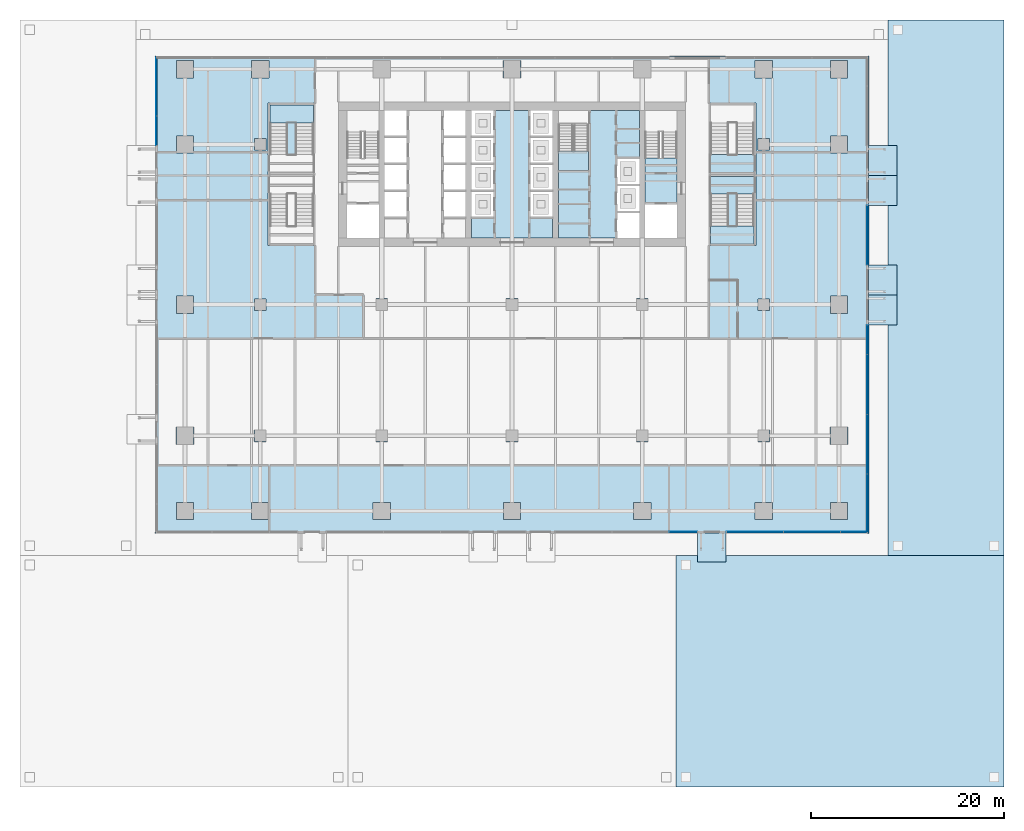
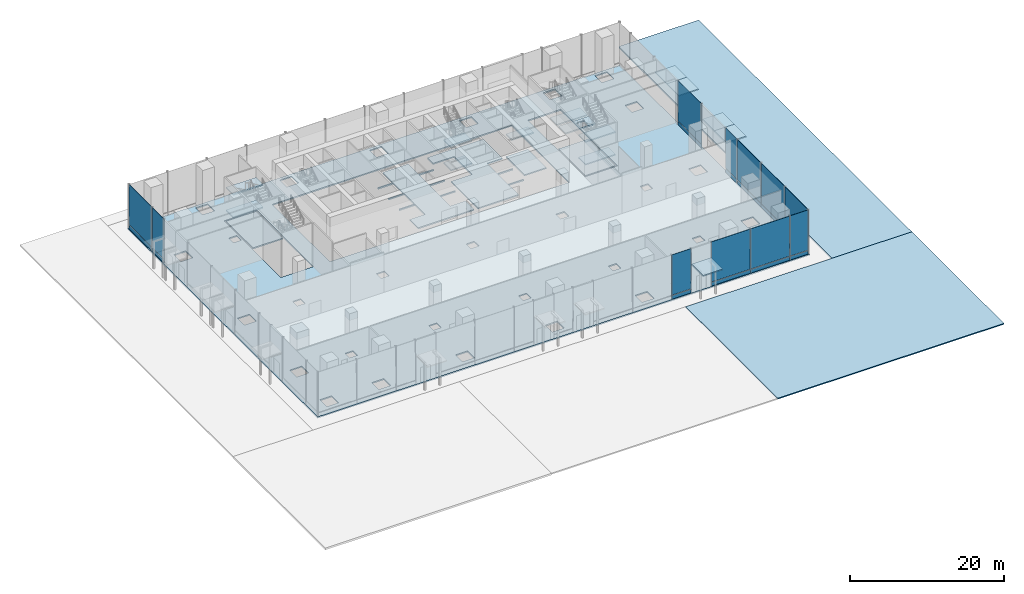
# One storey, part 27 of 41: 22 plates, 22 slabs, 10 elements without a shape of their own.
"""IFC4 building model written with IfcOpenShell, lengths in metres."""

from ifc_helpers import new_model, si_unit, direction, frame, origin, origin_2d, place, context, subcontext, project, spatial, polyline, rectangle, outline, extrude, material, layer, layer_set, type_object, element, aggregate, save


model = new_model("IFC4")

# Units and contexts
model_context = context("Model", 3, precision=1e-05, world=origin(), true_north=direction((0.0, 1.0)))
body_context = subcontext(model_context, "Body", "Model", "MODEL_VIEW")
ifc_project = project(units=[si_unit("LENGTHUNIT", "METRE"), si_unit("AREAUNIT", "SQUARE_METRE"), si_unit("VOLUMEUNIT", "CUBIC_METRE"), si_unit("PLANEANGLEUNIT", "RADIAN"), si_unit("MASSUNIT", "GRAM", prefix="KILO")], contexts=[model_context])

# Site, building, storey
site_placement = place(None, origin())
site = spatial("IfcSite", under=ifc_project, at=site_placement, CompositionType="ELEMENT")
building_placement = place(site_placement, origin())
building = spatial("IfcBuilding", under=site, at=building_placement, Name="Rattan Terrace Tower", CompositionType="ELEMENT")
storey_placement = place(building_placement, origin())
storey = spatial("IfcBuildingStorey", under=building, at=storey_placement, Name="L00", CompositionType="ELEMENT", Elevation=0.0)

# Stair, slab
ifc_material_1 = material(Name="Concrete C40/50", Category="concrete")
stair_type_1 = type_object("IfcStairType", Name="Core exit stair 1500", PredefinedType="HALF_TURN_STAIR", material=ifc_material_1)
stair_1_placement = place(storey_placement, origin())
stair_1 = element("IfcStair", 1, at=stair_1_placement, inside=storey, type_object=stair_type_1, Name="L00 exit stair 2", PredefinedType="HALF_TURN_STAIR")
ifc_material_2 = material(Name="Concrete C40/50", Category="concrete")
ifc_layer_1 = layer(ifc_material_2, 0.199951171875)
ifc_layer_set_1 = layer_set([ifc_layer_1], Name="Core exit stair landing")
slab_type_1 = type_object("IfcSlabType", Name="Core exit stair landing", PredefinedType="LANDING", material=ifc_layer_set_1)
slab_1_placement = place(storey_placement, frame((0.0, 0.0, 3.39990234375)))
slab_1 = element("IfcSlab", 2, at=slab_1_placement, type_object=slab_type_1, Name="S2 landing 2", PredefinedType="LANDING", context=body_context, shape_type="SweptSolid", body=[
    extrude(outline(polyline([(17.10009765625, 0.199951171875), (17.10009765625, 1.699951171875), (13.800048828125, 1.699951171875), (13.800048828125, 0.199951171875), (17.10009765625, 0.199951171875)])), origin(), (0.0, 0.0, 1.0), 0.2001953125),
])
aggregate(stair_1, [slab_1])

# Stair, slabs
stair_2_placement = place(storey_placement, origin())
stair_2 = element("IfcStair", 3, at=stair_2_placement, inside=storey, type_object=stair_type_1, Name="L00 exit stair 3", PredefinedType="HALF_TURN_STAIR")
slab_2_placement = place(storey_placement, frame((0.0, 0.0, 1.60009765625)))
slab_2 = element("IfcSlab", 4, at=slab_2_placement, type_object=slab_type_1, Name="S3 landing 1", PredefinedType="LANDING", context=body_context, shape_type="SweptSolid", body=[
    extrude(outline(polyline([(4.800048828125, 2.39990234375), (4.800048828125, 0.39990234375), (7.949951171875, 0.39990234375), (7.949951171875, 2.39990234375), (4.800048828125, 2.39990234375)])), origin(), (0.0, 0.0, 1.0), 0.199951171875),
])
slab_3_placement = place(storey_placement, frame((0.0, 0.0, 5.199951171875)))
slab_3 = element("IfcSlab", 5, at=slab_3_placement, type_object=slab_type_1, Name="S3 landing 3", PredefinedType="LANDING", context=body_context, shape_type="SweptSolid", body=[
    extrude(outline(polyline([(4.800048828125, 2.39990234375), (4.800048828125, 0.39990234375), (7.949951171875, 0.39990234375), (7.949951171875, 2.39990234375), (4.800048828125, 2.39990234375)])), origin(), (0.0, 0.0, 1.0), 0.199951171875),
])
aggregate(stair_2, [slab_2, slab_3])

ifc_material_3 = material(Name="Concrete C40/50", Category="concrete")
stair_type_2 = type_object("IfcStairType", Name="Core exit stair 1850", PredefinedType="HALF_TURN_STAIR", material=ifc_material_3)
stair_3_placement = place(storey_placement, origin())
stair_3 = element("IfcStair", 6, at=stair_3_placement, inside=storey, type_object=stair_type_2, Name="L00 exit stair 5", PredefinedType="HALF_TURN_STAIR")
slab_4_placement = place(storey_placement, frame((0.0, 0.0, 1.60009765625)))
slab_4 = element("IfcSlab", 7, at=slab_4_placement, type_object=slab_type_1, Name="S5 landing 1", PredefinedType="LANDING", context=body_context, shape_type="SweptSolid", body=[
    extrude(outline(polyline([(-20.60009765625, 5.343994140625), (-20.60009765625, 7.199951171875), (-25.10009765625, 7.199951171875), (-25.10009765625, 5.343994140625), (-20.60009765625, 5.343994140625)])), origin(), (0.0, 0.0, 1.0), 0.199951171875),
])
slab_5_placement = place(storey_placement, frame((0.0, 0.0, 5.199951171875)))
slab_5 = element("IfcSlab", 8, at=slab_5_placement, type_object=slab_type_1, Name="S5 landing 3", PredefinedType="LANDING", context=body_context, shape_type="SweptSolid", body=[
    extrude(outline(polyline([(-20.60009765625, 5.343994140625), (-20.60009765625, 7.199951171875), (-25.10009765625, 7.199951171875), (-25.10009765625, 5.343994140625), (-20.60009765625, 5.343994140625)])), origin(), (0.0, 0.0, 1.0), 0.199951171875),
])
aggregate(stair_3, [slab_4, slab_5])

stair_4_placement = place(storey_placement, origin())
stair_4 = element("IfcStair", 9, at=stair_4_placement, inside=storey, type_object=stair_type_2, Name="L00 exit stair 6", PredefinedType="HALF_TURN_STAIR")
slab_6_placement = place(storey_placement, frame((0.0, 0.0, 1.60009765625)))
slab_6 = element("IfcSlab", 10, at=slab_6_placement, type_object=slab_type_1, Name="S6 landing 1", PredefinedType="LANDING", context=body_context, shape_type="SweptSolid", body=[
    extrude(outline(polyline([(20.60009765625, -5.343994140625), (20.60009765625, -7.199951171875), (25.10009765625, -7.199951171875), (25.10009765625, -5.343994140625), (20.60009765625, -5.343994140625)])), origin(), (0.0, 0.0, 1.0), 0.199951171875),
])
slab_7_placement = place(storey_placement, frame((0.0, 0.0, 3.39990234375)))
slab_7 = element("IfcSlab", 11, at=slab_7_placement, type_object=slab_type_1, Name="S6 landing 2", PredefinedType="LANDING", context=body_context, shape_type="SweptSolid", body=[
    extrude(outline(polyline([(20.60009765625, -0.199951171875), (20.60009765625, -2.050048828125), (25.10009765625, -2.050048828125), (25.10009765625, -0.199951171875), (20.60009765625, -0.199951171875)])), origin(), (0.0, 0.0, 1.0), 0.2001953125),
])
slab_8_placement = place(storey_placement, frame((0.0, 0.0, 5.199951171875)))
slab_8 = element("IfcSlab", 12, at=slab_8_placement, type_object=slab_type_1, Name="S6 landing 3", PredefinedType="LANDING", context=body_context, shape_type="SweptSolid", body=[
    extrude(outline(polyline([(20.60009765625, -5.343994140625), (20.60009765625, -7.199951171875), (25.10009765625, -7.199951171875), (25.10009765625, -5.343994140625), (20.60009765625, -5.343994140625)])), origin(), (0.0, 0.0, 1.0), 0.199951171875),
])
aggregate(stair_4, [slab_6, slab_7, slab_8])

# Stair, slab
stair_5_placement = place(storey_placement, origin())
stair_5 = element("IfcStair", 13, at=stair_5_placement, inside=storey, type_object=stair_type_2, Name="L00 exit stair 7", PredefinedType="HALF_TURN_STAIR")
slab_9_placement = place(storey_placement, frame((0.0, 0.0, 3.39990234375)))
slab_9 = element("IfcSlab", 14, at=slab_9_placement, type_object=slab_type_1, Name="S7 landing 2", PredefinedType="LANDING", context=body_context, shape_type="SweptSolid", body=[
    extrude(outline(polyline([(25.10009765625, 0.199951171875), (25.10009765625, 2.050048828125), (20.60009765625, 2.050048828125), (20.60009765625, 0.199951171875), (25.10009765625, 0.199951171875)])), origin(), (0.0, 0.0, 1.0), 0.2001953125),
])
aggregate(stair_5, [slab_9])

# Slabs
ifc_material_4 = material(Name="Resin-bound gravel on concrete C25/30 bed", Category="concrete")
ifc_layer_2 = layer(ifc_material_4, 0.159912109375)
ifc_layer_set_2 = layer_set([ifc_layer_2], Name="Cycle and Pedestrian Paving")
slab_type_2 = type_object("IfcSlabType", Name="Cycle and Pedestrian Paving", PredefinedType="USERDEFINED", material=ifc_layer_set_2)
slab_10_placement = place(storey_placement, frame((0.0, 0.0, -0.159912109375)))
element("IfcSlab", 15, at=slab_10_placement, inside=storey, type_object=slab_type_2, Name="Cycle and pedestrian paving", ObjectType="PAVING", PredefinedType="USERDEFINED", context=body_context, shape_type="SweptSolid", body=[
    extrude(outline(polyline([(51.0, -63.5), (51.0, -39.5), (17.0, -39.5), (17.0, -63.5), (51.0, -63.5)])), origin(), (0.0, 0.0, 1.0), 0.159912109375),
])
ifc_material_5 = material(Name="Steel S355 and glass canopy", Category="steel")
ifc_layer_3 = layer(ifc_material_5, 0.199951171875)
ifc_layer_set_3 = layer_set([ifc_layer_3], Name="Facade Entrance Canopy")
slab_type_3 = type_object("IfcSlabType", Name="Facade Entrance Canopy", PredefinedType="ROOF", material=ifc_layer_set_3)
slab_11_placement = place(storey_placement, frame((0.0, 0.0, 4.39990234375)))
element("IfcSlab", 16, at=slab_11_placement, inside=storey, type_object=slab_type_3, Name="Entrance canopy 001", PredefinedType="ROOF", context=body_context, shape_type="SweptSolid", body=[
    extrude(outline(polyline([(36.929931640625, -15.592041015625), (36.929931640625, -12.498046875), (39.929931640625, -12.498046875), (39.929931640625, -15.592041015625), (36.929931640625, -15.592041015625)])), origin(), (0.0, 0.0, 1.0), 0.2001953125),
])
slab_12_placement = place(storey_placement, frame((0.0, 0.0, 4.39990234375)))
element("IfcSlab", 17, at=slab_12_placement, inside=storey, type_object=slab_type_3, Name="Entrance canopy 006", PredefinedType="ROOF", context=body_context, shape_type="SweptSolid", body=[
    extrude(outline(polyline([(36.929931640625, -12.498046875), (36.929931640625, -9.404052734375), (39.929931640625, -9.404052734375), (39.929931640625, -12.498046875), (36.929931640625, -12.498046875)])), origin(), (0.0, 0.0, 1.0), 0.2001953125),
])
ifc_material_6 = material(Name="Steel S355 and glass canopy", Category="steel")
ifc_layer_4 = layer(ifc_material_6, 0.179931640625)
ifc_layer_set_4 = layer_set([ifc_layer_4], Name="Facade Exit Canopy")
slab_type_4 = type_object("IfcSlabType", Name="Facade Exit Canopy", PredefinedType="ROOF", material=ifc_layer_set_4)
slab_13_placement = place(storey_placement, frame((0.0, 0.0, 4.39990234375)))
element("IfcSlab", 18, at=slab_13_placement, inside=storey, type_object=slab_type_4, Name="Entrance canopy 011", PredefinedType="ROOF", context=body_context, shape_type="SweptSolid", body=[
    extrude(outline(polyline([(36.929931640625, -3.216064453125), (36.929931640625, -0.1220703125), (39.929931640625, -0.1220703125), (39.929931640625, -3.216064453125), (36.929931640625, -3.216064453125)])), origin(), (0.0, 0.0, 1.0), 0.18017578125),
])
slab_14_placement = place(storey_placement, frame((0.0, 0.0, 4.39990234375)))
element("IfcSlab", 19, at=slab_14_placement, inside=storey, type_object=slab_type_4, Name="Entrance canopy 016", PredefinedType="ROOF", context=body_context, shape_type="SweptSolid", body=[
    extrude(outline(polyline([(36.929931640625, -0.1220703125), (36.929931640625, 2.971923828125), (39.929931640625, 2.971923828125), (39.929931640625, -0.1220703125), (36.929931640625, -0.1220703125)])), origin(), (0.0, 0.0, 1.0), 0.18017578125),
])
slab_15_placement = place(storey_placement, frame((0.0, 0.0, 4.39990234375)))
element("IfcSlab", 20, at=slab_15_placement, inside=storey, type_object=slab_type_4, Name="Entrance canopy 061", PredefinedType="ROOF", context=body_context, shape_type="SweptSolid", body=[
    extrude(outline(polyline([(19.239990234375, -37.179931640625), (22.199951171875, -37.179931640625), (22.199951171875, -40.179931640625), (19.239990234375, -40.179931640625), (19.239990234375, -37.179931640625)])), origin(), (0.0, 0.0, 1.0), 0.18017578125),
])
ifc_material_7 = material(Name="Concrete C35/45", Category="concrete")
ifc_layer_5 = layer(ifc_material_7, 0.199951171875)
ifc_layer_set_5 = layer_set([ifc_layer_5], Name="Frame composite floor slab 200")
slab_type_5 = type_object("IfcSlabType", Name="Frame composite floor slab 200", PredefinedType="FLOOR", material=ifc_layer_set_5)
slab_16_placement = place(storey_placement, frame((0.0, 0.0, -0.199951171875)))
element("IfcSlab", 21, at=slab_16_placement, inside=storey, type_object=slab_type_5, Name="Floor slab", PredefinedType="FLOOR", context=body_context, shape_type="SweptSolid", body=[
    extrude(outline(polyline([(-37.0, -37.25), (37.0, -37.25), (37.0, 12.25), (-37.0, 12.25), (-37.0, -37.25)]), holes=[polyline([(-14.39990234375, -34.0), (-14.39990234375, -35.800048828125), (-12.60009765625, -35.800048828125), (-12.60009765625, -34.0), (-14.39990234375, -34.0)]), polyline([(-34.800048828125, -34.0), (-34.800048828125, -35.800048828125), (-33.0, -35.800048828125), (-33.0, -34.0), (-34.800048828125, -34.0)]), polyline([(-27.0, -34.0), (-27.0, -35.800048828125), (-25.199951171875, -35.800048828125), (-25.199951171875, -34.0), (-27.0, -34.0)]), polyline([(-34.800048828125, -26.199951171875), (-34.800048828125, -28.0), (-33.0, -28.0), (-33.0, -26.199951171875), (-34.800048828125, -26.199951171875)]), polyline([(-12.89990234375, -26.5), (-14.10009765625, -26.5), (-14.10009765625, -27.699951171875), (-12.89990234375, -27.699951171875), (-12.89990234375, -26.5)]), polyline([(-26.699951171875, -26.5), (-26.699951171875, -27.699951171875), (-25.5, -27.699951171875), (-25.5, -26.5), (-26.699951171875, -26.5)]), polyline([(-26.699951171875, -12.89990234375), (-26.699951171875, -14.10009765625), (-25.5, -14.10009765625), (-25.5, -12.89990234375), (-26.699951171875, -12.89990234375)]), polyline([(-14.10009765625, -12.89990234375), (-14.10009765625, -14.10009765625), (-12.89990234375, -14.10009765625), (-12.89990234375, -12.89990234375), (-14.10009765625, -12.89990234375)]), polyline([(-34.800048828125, -12.60009765625), (-34.800048828125, -14.39990234375), (-33.0, -14.39990234375), (-33.0, -12.60009765625), (-34.800048828125, -12.60009765625)]), polyline([(-25.10009765625, -7.39990234375), (-20.60009765625, -7.39990234375), (-20.60009765625, -7.39990234375), (-20.39990234375, -7.39990234375), (-20.39990234375, 0.0), (-20.39990234375, 7.39990234375), (-20.60009765625, 7.39990234375), (-20.60009765625, 7.39990234375), (-25.10009765625, 7.39990234375), (-25.10009765625, 7.39990234375), (-25.300048828125, 7.39990234375), (-25.300048828125, 0.0), (-25.300048828125, -7.39990234375), (-25.10009765625, -7.39990234375), (-25.10009765625, -7.39990234375)]), polyline([(18.0, -6.60009765625), (18.0, 6.60009765625), (18.0, 7.5), (-18.0, 7.5), (-18.0, 6.60009765625), (-18.0, -6.60009765625), (-18.0, -7.5), (18.0, -7.5), (18.0, -6.60009765625)]), polyline([(-25.5, 3.699951171875), (-26.699951171875, 3.699951171875), (-26.699951171875, 2.5), (-25.5, 2.5), (-25.5, 3.699951171875)]), polyline([(-34.800048828125, 4.0), (-34.800048828125, 2.199951171875), (-33.0, 2.199951171875), (-33.0, 4.0), (-34.800048828125, 4.0)]), polyline([(-25.199951171875, 11.800048828125), (-27.0, 11.800048828125), (-27.0, 10.0), (-25.199951171875, 10.0), (-25.199951171875, 11.800048828125)]), polyline([(-14.39990234375, 11.800048828125), (-14.39990234375, 10.0), (-12.60009765625, 10.0), (-12.60009765625, 11.800048828125), (-14.39990234375, 11.800048828125)]), polyline([(-34.800048828125, 11.800048828125), (-34.800048828125, 10.0), (-33.0, 10.0), (-33.0, 11.800048828125), (-34.800048828125, 11.800048828125)]), polyline([(-0.89990234375, -34.0), (-0.89990234375, -35.800048828125), (0.89990234375, -35.800048828125), (0.89990234375, -34.0), (-0.89990234375, -34.0)]), polyline([(0.60009765625, -26.5), (-0.60009765625, -26.5), (-0.60009765625, -27.699951171875), (0.60009765625, -27.699951171875), (0.60009765625, -26.5)]), polyline([(0.60009765625, -12.89990234375), (-0.60009765625, -12.89990234375), (-0.60009765625, -14.10009765625), (0.60009765625, -14.10009765625), (0.60009765625, -12.89990234375)]), polyline([(0.89990234375, 11.800048828125), (-0.89990234375, 11.800048828125), (-0.89990234375, 10.0), (0.89990234375, 10.0), (0.89990234375, 11.800048828125)]), polyline([(14.39990234375, -34.0), (12.60009765625, -34.0), (12.60009765625, -35.800048828125), (14.39990234375, -35.800048828125), (14.39990234375, -34.0)]), polyline([(33.0, -34.0), (33.0, -35.800048828125), (34.800048828125, -35.800048828125), (34.800048828125, -34.0), (33.0, -34.0)]), polyline([(25.199951171875, -34.0), (25.199951171875, -35.800048828125), (27.0, -35.800048828125), (27.0, -34.0), (25.199951171875, -34.0)]), polyline([(33.0, -28.0), (34.800048828125, -28.0), (34.800048828125, -26.199951171875), (33.0, -26.199951171875), (33.0, -28.0)]), polyline([(14.10009765625, -26.5), (12.89990234375, -26.5), (12.89990234375, -27.699951171875), (14.10009765625, -27.699951171875), (14.10009765625, -26.5)]), polyline([(26.699951171875, -26.5), (25.5, -26.5), (25.5, -27.699951171875), (26.699951171875, -27.699951171875), (26.699951171875, -26.5)]), polyline([(12.89990234375, -12.89990234375), (12.89990234375, -14.10009765625), (14.10009765625, -14.10009765625), (14.10009765625, -12.89990234375), (12.89990234375, -12.89990234375)]), polyline([(33.0, -14.39990234375), (34.800048828125, -14.39990234375), (34.800048828125, -12.60009765625), (33.0, -12.60009765625), (33.0, -14.39990234375)]), polyline([(25.5, -12.89990234375), (25.5, -14.10009765625), (26.699951171875, -14.10009765625), (26.699951171875, -12.89990234375), (25.5, -12.89990234375)]), polyline([(20.60009765625, -7.39990234375), (20.60009765625, -7.39990234375), (25.10009765625, -7.39990234375), (25.10009765625, -7.39990234375), (25.300048828125, -7.39990234375), (25.300048828125, 0.0), (25.300048828125, 7.39990234375), (25.10009765625, 7.39990234375), (25.10009765625, 7.39990234375), (20.60009765625, 7.39990234375), (20.60009765625, 7.39990234375), (20.39990234375, 7.39990234375), (20.39990234375, 0.0), (20.39990234375, -7.39990234375), (20.60009765625, -7.39990234375)]), polyline([(25.5, 3.699951171875), (25.5, 2.5), (26.699951171875, 2.5), (26.699951171875, 3.699951171875), (25.5, 3.699951171875)]), polyline([(33.0, 2.199951171875), (34.800048828125, 2.199951171875), (34.800048828125, 4.0), (33.0, 4.0), (33.0, 2.199951171875)]), polyline([(33.0, 11.800048828125), (33.0, 10.0), (34.800048828125, 10.0), (34.800048828125, 11.800048828125), (33.0, 11.800048828125)]), polyline([(27.0, 11.800048828125), (25.199951171875, 11.800048828125), (25.199951171875, 10.0), (27.0, 10.0), (27.0, 11.800048828125)]), polyline([(14.39990234375, 11.800048828125), (12.60009765625, 11.800048828125), (12.60009765625, 10.0), (14.39990234375, 10.0), (14.39990234375, 11.800048828125)])]), origin(), (0.0, 0.0, 1.0), 0.199951171875),
])
slab_17_placement = place(storey_placement, frame((0.0, 0.0, -0.199951171875)))
element("IfcSlab", 22, at=slab_17_placement, inside=storey, type_object=slab_type_5, Name="Floor slab", PredefinedType="FLOOR", context=body_context, shape_type="SweptSolid", body=[
    extrude(outline(polyline([(-20.60009765625, 0.199951171875), (-20.60009765625, 7.199951171875), (-25.10009765625, 7.199951171875), (-25.10009765625, 0.199951171875), (-20.60009765625, 0.199951171875)])), origin(), (0.0, 0.0, 1.0), 0.199951171875),
])
slab_18_placement = place(storey_placement, frame((0.0, 0.0, -0.199951171875)))
element("IfcSlab", 23, at=slab_18_placement, inside=storey, type_object=slab_type_5, Name="Floor slab", PredefinedType="FLOOR", context=body_context, shape_type="SweptSolid", body=[
    extrude(outline(polyline([(-4.199951171875, -6.60009765625), (4.199951171875, -6.60009765625), (4.199951171875, -4.39990234375), (1.89990234375, -4.39990234375), (1.89990234375, -1.800048828125), (4.199951171875, -1.800048828125), (4.199951171875, -1.60009765625), (1.89990234375, -1.60009765625), (1.89990234375, 1.0), (4.199951171875, 1.0), (4.199951171875, 1.199951171875), (1.89990234375, 1.199951171875), (1.89990234375, 3.800048828125), (4.199951171875, 3.800048828125), (4.199951171875, 4.0), (1.89990234375, 4.0), (1.89990234375, 6.60009765625), (-1.89990234375, 6.60009765625), (-1.89990234375, 4.0), (-4.199951171875, 4.0), (-4.199951171875, 3.800048828125), (-1.89990234375, 3.800048828125), (-1.89990234375, 1.199951171875), (-4.199951171875, 1.199951171875), (-4.199951171875, 1.0), (-1.89990234375, 1.0), (-1.89990234375, -1.60009765625), (-4.199951171875, -1.60009765625), (-4.199951171875, -1.800048828125), (-1.89990234375, -1.800048828125), (-1.89990234375, -4.39990234375), (-4.199951171875, -4.39990234375), (-4.199951171875, -6.60009765625)])), origin(), (0.0, 0.0, 1.0), 0.199951171875),
])
slab_19_placement = place(storey_placement, frame((0.0, 0.0, -0.199951171875)))
element("IfcSlab", 24, at=slab_19_placement, inside=storey, type_object=slab_type_5, Name="Floor slab", PredefinedType="FLOOR", context=body_context, shape_type="SweptSolid", body=[
    extrude(outline(polyline([(4.800048828125, -6.60009765625), (10.89990234375, -6.60009765625), (10.89990234375, -4.0), (13.199951171875, -4.0), (13.199951171875, -3.800048828125), (10.89990234375, -3.800048828125), (10.89990234375, -1.199951171875), (13.199951171875, -1.199951171875), (13.199951171875, -1.0), (10.89990234375, -1.0), (10.89990234375, 1.60009765625), (13.199951171875, 1.60009765625), (13.199951171875, 6.60009765625), (4.800048828125, 6.60009765625), (4.800048828125, 5.090087890625), (7.949951171875, 5.090087890625), (7.949951171875, 0.39990234375), (4.800048828125, 0.39990234375), (4.800048828125, -6.60009765625)])), origin(), (0.0, 0.0, 1.0), 0.199951171875),
])
slab_20_placement = place(storey_placement, frame((0.0, 0.0, -0.199951171875)))
element("IfcSlab", 25, at=slab_20_placement, inside=storey, type_object=slab_type_5, Name="Floor slab", PredefinedType="FLOOR", context=body_context, shape_type="SweptSolid", body=[
    extrude(outline(polyline([(17.10009765625, -3.10009765625), (17.10009765625, 1.7099609375), (13.800048828125, 1.7099609375), (13.800048828125, -3.10009765625), (17.10009765625, -3.10009765625)])), origin(), (0.0, 0.0, 1.0), 0.199951171875),
])
slab_21_placement = place(storey_placement, frame((0.0, 0.0, -0.199951171875)))
element("IfcSlab", 26, at=slab_21_placement, inside=storey, type_object=slab_type_5, Name="Floor slab", PredefinedType="FLOOR", context=body_context, shape_type="SweptSolid", body=[
    extrude(outline(polyline([(20.60009765625, -0.199951171875), (20.60009765625, -7.199951171875), (25.10009765625, -7.199951171875), (25.10009765625, -0.199951171875), (20.60009765625, -0.199951171875)])), origin(), (0.0, 0.0, 1.0), 0.199951171875),
])
ifc_material_8 = material(Name="Granite setts on concrete C30/37 bed", Category="masonry")
ifc_layer_6 = layer(ifc_material_8, 0.239990234375)
ifc_layer_set_6 = layer_set([ifc_layer_6], Name="Station Entrance Setts")
slab_type_6 = type_object("IfcSlabType", Name="Station Entrance Setts", PredefinedType="USERDEFINED", material=ifc_layer_set_6)
slab_22_placement = place(storey_placement, frame((0.0, 0.0, -0.239990234375)))
element("IfcSlab", 27, at=slab_22_placement, inside=storey, type_object=slab_type_6, Name="Station entrance setts, east", ObjectType="PAVING", PredefinedType="USERDEFINED", context=body_context, shape_type="SweptSolid", body=[
    extrude(outline(polyline([(51.0, -39.5), (51.0, 16.0), (39.0, 16.0), (39.0, -39.5), (51.0, -39.5)])), origin(), (0.0, 0.0, 1.0), 0.239990234375),
])

# Curtain wall, plates
ifc_material_9 = material(Name="Aluminium and glass", Category="aluminium")
ifc_layer_7 = layer(ifc_material_9, 0.1201171875)
ifc_layer_set_7 = layer_set([ifc_layer_7], Name="Station Storefront Curtain Wall")
curtain_wall_type = type_object("IfcCurtainWallType", Name="Station Storefront Curtain Wall", PredefinedType="NOTDEFINED", material=ifc_layer_set_7)
curtain_wall_1_placement = place(storey_placement, origin())
curtain_wall_1 = element("IfcCurtainWall", 28, at=curtain_wall_1_placement, inside=storey, type_object=curtain_wall_type, Name="Storefront curtain wall L00-1", PredefinedType="NOTDEFINED")
ifc_material_10 = material(Name="Granite bulkhead panel", Category="masonry")
ifc_layer_8 = layer(ifc_material_10, 0.110107421875)
ifc_layer_set_8 = layer_set([ifc_layer_8], Name="Storefront CW Stone Bulkhead Panel")
plate_type_1 = type_object("IfcPlateType", Name="Storefront CW Stone Bulkhead Panel", PredefinedType="CURTAIN_PANEL", material=ifc_layer_set_8)
plate_1_placement = place(storey_placement, frame((36.830078125, -34.08837890625, 0.0), z_axis=(0.0, 0.0, 1.0), x_axis=(0.0, 1.0, 0.0)))
plate_1 = element("IfcPlate", 29, at=plate_1_placement, type_object=plate_type_1, Name="Panel cwl-L00-001.1.1", PredefinedType="CURTAIN_PANEL", context=body_context, shape_type="SweptSolid", body=[
    extrude(rectangle(XDim=6.0029296875, YDim=0.110107421875, at=origin_2d()), origin(), (0.0, 0.0, 1.0), 0.574951171875),
])
plate_2_placement = place(storey_placement, frame((36.830078125, -27.968017578125, 0.0), z_axis=(0.0, 0.0, 1.0), x_axis=(0.0, 1.0, 0.0)))
plate_2 = element("IfcPlate", 30, at=plate_2_placement, type_object=plate_type_1, Name="Panel cwl-L00-001.2.1", PredefinedType="CURTAIN_PANEL", context=body_context, shape_type="SweptSolid", body=[
    extrude(rectangle(XDim=6.137939453125, YDim=0.110107421875, at=origin_2d()), origin(), (0.0, 0.0, 1.0), 0.574951171875),
])
plate_3_placement = place(storey_placement, frame((36.830078125, -21.780029296875, 0.0), z_axis=(0.0, 0.0, 1.0), x_axis=(0.0, 1.0, 0.0)))
plate_3 = element("IfcPlate", 31, at=plate_3_placement, type_object=plate_type_1, Name="Panel cwl-L00-001.3.1", PredefinedType="CURTAIN_PANEL", context=body_context, shape_type="SweptSolid", body=[
    extrude(rectangle(XDim=6.137939453125, YDim=0.110107421875, at=origin_2d()), origin(), (0.0, 0.0, 1.0), 0.574951171875),
])
plate_4_placement = place(storey_placement, frame((36.830078125, -17.151611328125, 0.0), z_axis=(0.0, 0.0, 1.0), x_axis=(0.0, 1.0, 0.0)))
plate_4 = element("IfcPlate", 32, at=plate_4_placement, type_object=plate_type_1, Name="Panel cwl-L00-001.4.1", PredefinedType="CURTAIN_PANEL", context=body_context, shape_type="SweptSolid", body=[
    extrude(rectangle(XDim=3.01904296875, YDim=0.110107421875, at=origin_2d()), origin(), (0.0, 0.0, 1.0), 0.574951171875),
])

# Curtain wall, plate
curtain_wall_2_placement = place(storey_placement, origin())
curtain_wall_2 = element("IfcCurtainWall", 33, at=curtain_wall_2_placement, inside=storey, type_object=curtain_wall_type, Name="Storefront curtain wall L00-2", PredefinedType="NOTDEFINED")
plate_5_placement = place(storey_placement, frame((36.830078125, -6.31005859375, 0.0), z_axis=(0.0, 0.0, 1.0), x_axis=(0.0, 1.0, 0.0)))
plate_5 = element("IfcPlate", 34, at=plate_5_placement, type_object=plate_type_1, Name="Panel cwl-L00-002.1.1", PredefinedType="CURTAIN_PANEL", context=body_context, shape_type="SweptSolid", body=[
    extrude(rectangle(XDim=6.087890625, YDim=0.110107421875, at=origin_2d()), origin(), (0.0, 0.0, 1.0), 0.574951171875),
])

# Curtain wall, plates
curtain_wall_3_placement = place(storey_placement, origin())
curtain_wall_3 = element("IfcCurtainWall", 35, at=curtain_wall_3_placement, inside=storey, type_object=curtain_wall_type, Name="Storefront curtain wall L00-6", PredefinedType="NOTDEFINED")
plate_6_placement = place(storey_placement, frame((-36.830078125, 9.08837890625, 0.0), z_axis=(0.0, 0.0, 1.0), x_axis=(0.0, -1.0, 0.0)))
plate_6 = element("IfcPlate", 36, at=plate_6_placement, type_object=plate_type_1, Name="Panel cwl-L00-006.1.1", PredefinedType="CURTAIN_PANEL", context=body_context, shape_type="SweptSolid", body=[
    extrude(rectangle(XDim=6.0029296875, YDim=0.110107421875, at=origin_2d()), origin(), (0.0, 0.0, 1.0), 0.574951171875),
])
plate_7_placement = place(storey_placement, frame((-36.830078125, 4.527587890625, 0.0), z_axis=(0.0, 0.0, 1.0), x_axis=(0.0, -1.0, 0.0)))
plate_7 = element("IfcPlate", 37, at=plate_7_placement, type_object=plate_type_1, Name="Panel cwl-L00-006.2.1", PredefinedType="CURTAIN_PANEL", context=body_context, shape_type="SweptSolid", body=[
    extrude(rectangle(XDim=3.01904296875, YDim=0.110107421875, at=origin_2d()), origin(), (0.0, 0.0, 1.0), 0.574951171875),
])

# Curtain wall, plate
curtain_wall_4_placement = place(storey_placement, origin())
curtain_wall_4 = element("IfcCurtainWall", 38, at=curtain_wall_4_placement, inside=storey, type_object=curtain_wall_type, Name="Storefront curtain wall L00-13", PredefinedType="NOTDEFINED")
plate_8_placement = place(storey_placement, frame((17.74755859375, -37.080078125, 0.0), z_axis=(0.0, 0.0, 1.0), x_axis=(1.0, 0.0, 0.0)))
plate_8 = element("IfcPlate", 39, at=plate_8_placement, type_object=plate_type_1, Name="Panel cwl-L00-013.3.1", PredefinedType="CURTAIN_PANEL", context=body_context, shape_type="SweptSolid", body=[
    extrude(rectangle(XDim=2.885009765625, YDim=0.110107421875, at=origin_2d()), origin(), (0.0, 0.0, 1.0), 0.574951171875),
])

# Curtain wall, plates
curtain_wall_5_placement = place(storey_placement, origin())
curtain_wall_5 = element("IfcCurtainWall", 40, at=curtain_wall_5_placement, inside=storey, type_object=curtain_wall_type, Name="Storefront curtain wall L00-14", PredefinedType="NOTDEFINED")
plate_9_placement = place(storey_placement, frame((25.172607421875, -37.080078125, 0.0), z_axis=(0.0, 0.0, 1.0), x_axis=(1.0, 0.0, 0.0)))
plate_9 = element("IfcPlate", 41, at=plate_9_placement, type_object=plate_type_1, Name="Panel cwl-L00-014.1.1", PredefinedType="CURTAIN_PANEL", context=body_context, shape_type="SweptSolid", body=[
    extrude(rectangle(XDim=5.844970703125, YDim=0.110107421875, at=origin_2d()), origin(), (0.0, 0.0, 1.0), 0.574951171875),
])
plate_10_placement = place(storey_placement, frame((31.080078125, -37.080078125, 0.0), z_axis=(0.0, 0.0, 1.0), x_axis=(1.0, 0.0, 0.0)))
plate_10 = element("IfcPlate", 42, at=plate_10_placement, type_object=plate_type_1, Name="Panel cwl-L00-014.2.1", PredefinedType="CURTAIN_PANEL", context=body_context, shape_type="SweptSolid", body=[
    extrude(rectangle(XDim=5.8701171875, YDim=0.110107421875, at=origin_2d()), origin(), (0.0, 0.0, 1.0), 0.574951171875),
])
plate_11_placement = place(storey_placement, frame((35.41748046875, -37.080078125, 0.0), z_axis=(0.0, 0.0, 1.0), x_axis=(1.0, 0.0, 0.0)))
plate_11 = element("IfcPlate", 43, at=plate_11_placement, type_object=plate_type_1, Name="Panel cwl-L00-014.3.1", PredefinedType="CURTAIN_PANEL", context=body_context, shape_type="SweptSolid", body=[
    extrude(rectangle(XDim=2.705078125, YDim=0.110107421875, at=origin_2d()), origin(), (0.0, 0.0, 1.0), 0.574951171875),
])

# Plate
ifc_material_11 = material(Name="Clear toughened glass", Category="glass")
ifc_layer_9 = layer(ifc_material_11, 0.0439453125)
ifc_layer_set_9 = layer_set([ifc_layer_9], Name="Storefront CW Vision Panel")
plate_type_2 = type_object("IfcPlateType", Name="Storefront CW Vision Panel", PredefinedType="CURTAIN_PANEL", material=ifc_layer_set_9)
plate_12_placement = place(storey_placement, frame((36.830078125, -34.08837890625, 0.625), z_axis=(0.0, 0.0, 1.0), x_axis=(0.0, 1.0, 0.0)))
plate_12 = element("IfcPlate", 44, at=plate_12_placement, type_object=plate_type_2, Name="Panel cwl-L00-001.1.2", PredefinedType="CURTAIN_PANEL", context=body_context, shape_type="SweptSolid", body=[
    extrude(rectangle(XDim=6.0029296875, YDim=0.0439453125, at=origin_2d()), origin(), (0.0, 0.0, 1.0), 6.375),
])

plate_13_placement = place(storey_placement, frame((36.830078125, -27.968017578125, 0.625), z_axis=(0.0, 0.0, 1.0), x_axis=(0.0, 1.0, 0.0)))
plate_13 = element("IfcPlate", 45, at=plate_13_placement, type_object=plate_type_2, Name="Panel cwl-L00-001.2.2", PredefinedType="CURTAIN_PANEL", context=body_context, shape_type="SweptSolid", body=[
    extrude(rectangle(XDim=6.137939453125, YDim=0.0439453125, at=origin_2d()), origin(), (0.0, 0.0, 1.0), 6.375),
])

plate_14_placement = place(storey_placement, frame((36.830078125, -21.780029296875, 0.625), z_axis=(0.0, 0.0, 1.0), x_axis=(0.0, 1.0, 0.0)))
plate_14 = element("IfcPlate", 46, at=plate_14_placement, type_object=plate_type_2, Name="Panel cwl-L00-001.3.2", PredefinedType="CURTAIN_PANEL", context=body_context, shape_type="SweptSolid", body=[
    extrude(rectangle(XDim=6.137939453125, YDim=0.0439453125, at=origin_2d()), origin(), (0.0, 0.0, 1.0), 6.375),
])

plate_15_placement = place(storey_placement, frame((36.830078125, -17.151611328125, 0.625), z_axis=(0.0, 0.0, 1.0), x_axis=(0.0, 1.0, 0.0)))
plate_15 = element("IfcPlate", 47, at=plate_15_placement, type_object=plate_type_2, Name="Panel cwl-L00-001.4.2", PredefinedType="CURTAIN_PANEL", context=body_context, shape_type="SweptSolid", body=[
    extrude(rectangle(XDim=3.01904296875, YDim=0.0439453125, at=origin_2d()), origin(), (0.0, 0.0, 1.0), 6.375),
])

aggregate(curtain_wall_1, [plate_1, plate_12, plate_2, plate_13, plate_3, plate_14, plate_4, plate_15])

plate_16_placement = place(storey_placement, frame((36.830078125, -6.31005859375, 0.625), z_axis=(0.0, 0.0, 1.0), x_axis=(0.0, 1.0, 0.0)))
plate_16 = element("IfcPlate", 48, at=plate_16_placement, type_object=plate_type_2, Name="Panel cwl-L00-002.1.2", PredefinedType="CURTAIN_PANEL", context=body_context, shape_type="SweptSolid", body=[
    extrude(rectangle(XDim=6.087890625, YDim=0.0439453125, at=origin_2d()), origin(), (0.0, 0.0, 1.0), 6.375),
])

aggregate(curtain_wall_2, [plate_5, plate_16])

plate_17_placement = place(storey_placement, frame((-36.830078125, 9.08837890625, 0.625), z_axis=(0.0, 0.0, 1.0), x_axis=(0.0, -1.0, 0.0)))
plate_17 = element("IfcPlate", 49, at=plate_17_placement, type_object=plate_type_2, Name="Panel cwl-L00-006.1.2", PredefinedType="CURTAIN_PANEL", context=body_context, shape_type="SweptSolid", body=[
    extrude(rectangle(XDim=6.0029296875, YDim=0.0439453125, at=origin_2d()), origin(), (0.0, 0.0, 1.0), 6.375),
])

plate_18_placement = place(storey_placement, frame((-36.830078125, 4.527587890625, 0.625), z_axis=(0.0, 0.0, 1.0), x_axis=(0.0, -1.0, 0.0)))
plate_18 = element("IfcPlate", 50, at=plate_18_placement, type_object=plate_type_2, Name="Panel cwl-L00-006.2.2", PredefinedType="CURTAIN_PANEL", context=body_context, shape_type="SweptSolid", body=[
    extrude(rectangle(XDim=3.01904296875, YDim=0.0439453125, at=origin_2d()), origin(), (0.0, 0.0, 1.0), 6.375),
])

aggregate(curtain_wall_3, [plate_6, plate_17, plate_7, plate_18])

plate_19_placement = place(storey_placement, frame((17.74755859375, -37.080078125, 0.625), z_axis=(0.0, 0.0, 1.0), x_axis=(1.0, 0.0, 0.0)))
plate_19 = element("IfcPlate", 51, at=plate_19_placement, type_object=plate_type_2, Name="Panel cwl-L00-013.3.2", PredefinedType="CURTAIN_PANEL", context=body_context, shape_type="SweptSolid", body=[
    extrude(rectangle(XDim=2.885009765625, YDim=0.0439453125, at=origin_2d()), origin(), (0.0, 0.0, 1.0), 6.375),
])

aggregate(curtain_wall_4, [plate_8, plate_19])

plate_20_placement = place(storey_placement, frame((25.172607421875, -37.080078125, 0.625), z_axis=(0.0, 0.0, 1.0), x_axis=(1.0, 0.0, 0.0)))
plate_20 = element("IfcPlate", 52, at=plate_20_placement, type_object=plate_type_2, Name="Panel cwl-L00-014.1.2", PredefinedType="CURTAIN_PANEL", context=body_context, shape_type="SweptSolid", body=[
    extrude(rectangle(XDim=5.844970703125, YDim=0.0439453125, at=origin_2d()), origin(), (0.0, 0.0, 1.0), 6.375),
])

plate_21_placement = place(storey_placement, frame((31.080078125, -37.080078125, 0.625), z_axis=(0.0, 0.0, 1.0), x_axis=(1.0, 0.0, 0.0)))
plate_21 = element("IfcPlate", 53, at=plate_21_placement, type_object=plate_type_2, Name="Panel cwl-L00-014.2.2", PredefinedType="CURTAIN_PANEL", context=body_context, shape_type="SweptSolid", body=[
    extrude(rectangle(XDim=5.8701171875, YDim=0.0439453125, at=origin_2d()), origin(), (0.0, 0.0, 1.0), 6.375),
])

plate_22_placement = place(storey_placement, frame((35.41748046875, -37.080078125, 0.625), z_axis=(0.0, 0.0, 1.0), x_axis=(1.0, 0.0, 0.0)))
plate_22 = element("IfcPlate", 54, at=plate_22_placement, type_object=plate_type_2, Name="Panel cwl-L00-014.3.2", PredefinedType="CURTAIN_PANEL", context=body_context, shape_type="SweptSolid", body=[
    extrude(rectangle(XDim=2.705078125, YDim=0.0439453125, at=origin_2d()), origin(), (0.0, 0.0, 1.0), 6.375),
])

aggregate(curtain_wall_5, [plate_9, plate_20, plate_10, plate_21, plate_11, plate_22])

save(model, "model.ifc")
